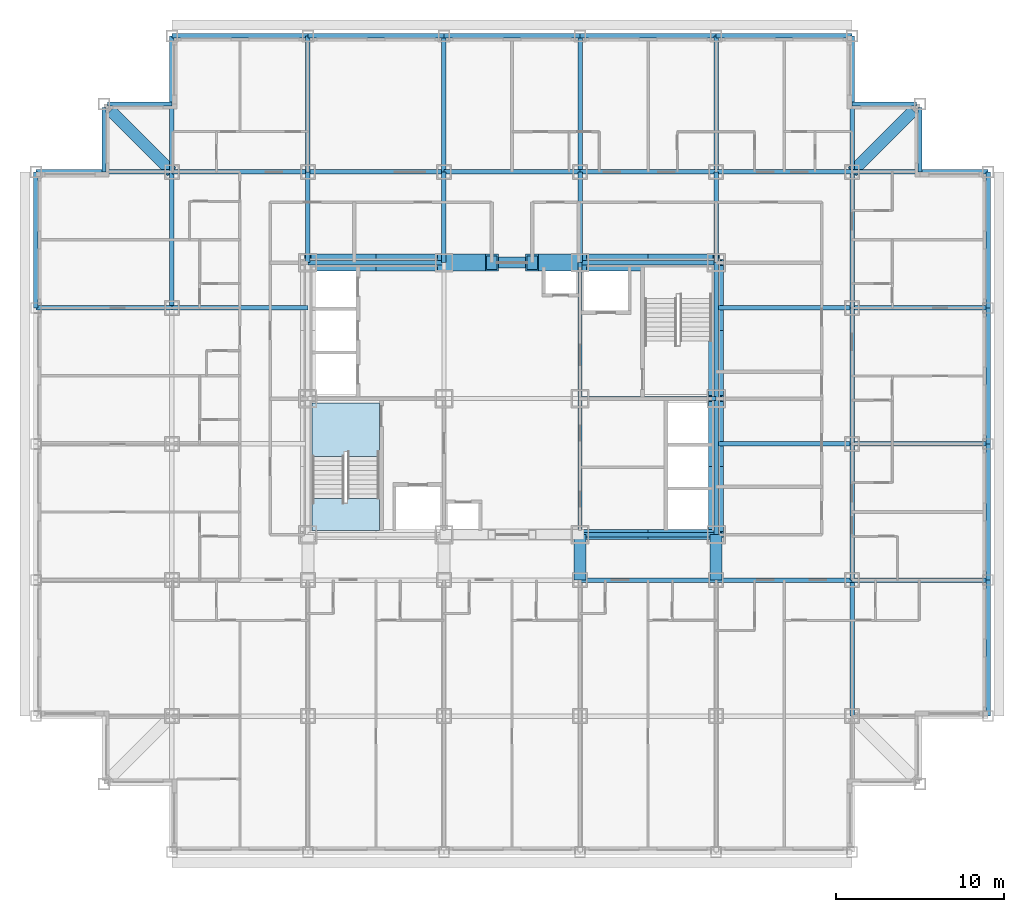
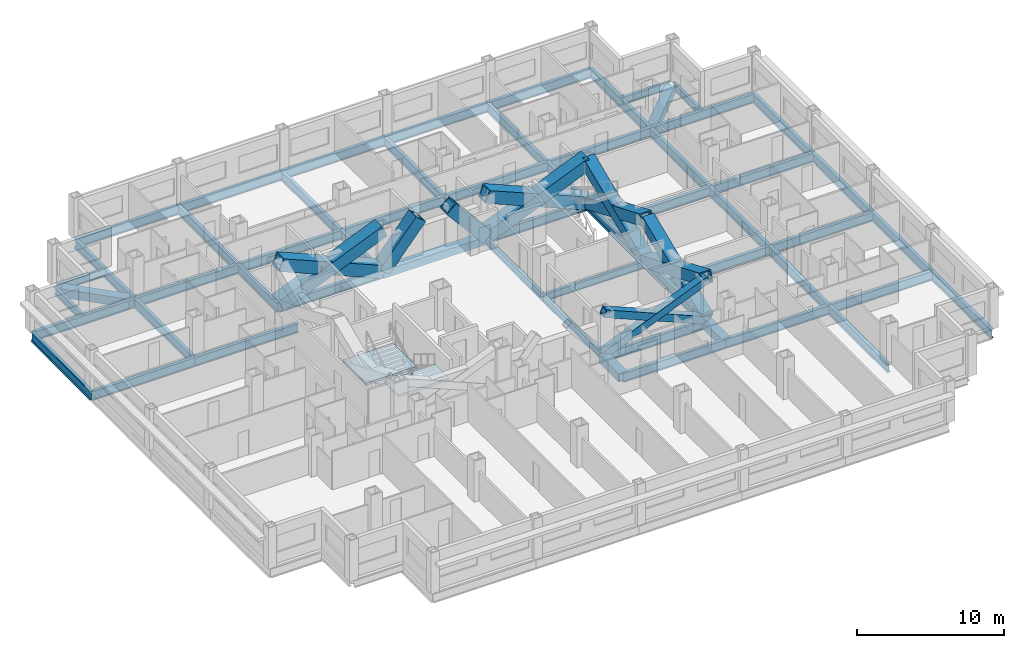
# One storey, part 2 of 12: 58 beams, 12 members, 2 slabs, 1 element without a shape of its own.
"""IFC4 building model written with IfcOpenShell, lengths in metres."""

from ifc_helpers import new_model, si_unit, direction, frame, origin, origin_2d, place, context, subcontext, project, spatial, polyline, hollow_rectangle, i_section, outline, extrude, material, layer, layer_set, material_profile, profile_set, type_object, element, aggregate, save


model = new_model("IFC4")

# Units and contexts
model_context = context("Model", 3, precision=1e-05, world=origin(), true_north=direction((0.0, 1.0)))
body_context = subcontext(model_context, "Body", "Model", "MODEL_VIEW")
ifc_project = project(units=[si_unit("LENGTHUNIT", "METRE"), si_unit("AREAUNIT", "SQUARE_METRE"), si_unit("VOLUMEUNIT", "CUBIC_METRE"), si_unit("PLANEANGLEUNIT", "RADIAN"), si_unit("MASSUNIT", "GRAM", prefix="KILO")], contexts=[model_context])

# Site, building, storey
site_placement = place(None, origin())
site = spatial("IfcSite", under=ifc_project, at=site_placement, CompositionType="ELEMENT")
building_placement = place(site_placement, origin())
building = spatial("IfcBuilding", under=site, at=building_placement, Name="Kopane Lantern Tower", CompositionType="ELEMENT")
storey_placement = place(building_placement, frame((0.0, 0.0, 147.60009765625)))
storey = spatial("IfcBuildingStorey", under=building, at=storey_placement, Name="L38", CompositionType="ELEMENT", Elevation=147.60009765625)

# Members
ifc_material_1 = material(Name="Steel S355JR", Category="steel")
ifc_material_profile_1 = material_profile(ifc_material_1, hollow_rectangle(XDim=1.0, YDim=1.0, WallThickness=0.10009765625, at=origin_2d()), Name="BOX 1000x1000x100")
ifc_profile_set_1 = profile_set([ifc_material_profile_1], Name="Steel S355JR")
member_type_1 = type_object("IfcMemberType", Name="BRACE BOX 1000x1000x100", PredefinedType="BRACE", material=ifc_profile_set_1)
for number, where, z_axis, x_axis, name in (
    (1, (16.199951171875, 40.5, -0.210205078125), (0.92205908274, 0.0, 0.387049154419), (0.0, 1.0, 0.0), "Core brace L38"),
    (2, (24.300048828125, 40.5, -0.210205078125), (-0.92205908274, 0.0, 0.387049154419), (0.0, -1.0, 0.0), "Core brace L38"),
):
    element("IfcMember", number, at=place(storey_placement, frame(where, z_axis=z_axis, x_axis=x_axis)), inside=storey, type_object=member_type_1, Name=name, PredefinedType="BRACE", context=body_context, shape_type="SweptSolid", body=[
        extrude(hollow_rectangle(XDim=1.0, YDim=1.0, WallThickness=0.10009765625, at=origin_2d()), origin(), (0.0, 0.0, 1.0), 8.784912109375),
    ])
for number, where, z_axis, x_axis, name in (
    (3, (24.300048828125, 40.5, -0.210205078125), (0.642363165114, 0.0, 0.766400394118), (0.0, 1.0, 0.0), "Core brace L38"),
    (4, (32.39990234375, 40.5, -0.210205078125), (-0.642363165114, 0.0, 0.766400394118), (0.0, -1.0, 0.0), "Core brace L38"),
):
    element("IfcMember", number, at=place(storey_placement, frame(where, z_axis=z_axis, x_axis=x_axis)), inside=storey, type_object=member_type_1, Name=name, PredefinedType="BRACE", context=body_context, shape_type="SweptSolid", body=[
        extrude(hollow_rectangle(XDim=1.0, YDim=1.0, WallThickness=0.10009765625, at=origin_2d()), origin(), (0.0, 0.0, 1.0), 4.4365234375),
    ])
for number, where, z_axis, x_axis, name in (
    (5, (32.39990234375, 40.5, -0.210205078125), (0.92205908274, 0.0, 0.387049154419), (0.0, 1.0, 0.0), "Core brace L38"),
    (6, (40.5, 40.5, -0.210205078125), (-0.92205908274, 0.0, 0.387049154419), (0.0, -1.0, 0.0), "Core brace L38"),
):
    element("IfcMember", number, at=place(storey_placement, frame(where, z_axis=z_axis, x_axis=x_axis)), inside=storey, type_object=member_type_1, Name=name, PredefinedType="BRACE", context=body_context, shape_type="SweptSolid", body=[
        extrude(hollow_rectangle(XDim=1.0, YDim=1.0, WallThickness=0.10009765625, at=origin_2d()), origin(), (0.0, 0.0, 1.0), 8.784912109375),
    ])
ifc_material_2 = material(Name="Steel S355JR", Category="steel")
ifc_material_profile_2 = material_profile(ifc_material_2, hollow_rectangle(XDim=0.60009765625, YDim=0.60009765625, WallThickness=0.050048828125, at=origin_2d()), Name="BOX 600x600x50")
ifc_profile_set_2 = profile_set([ifc_material_profile_2], Name="Steel S355JR")
member_type_2 = type_object("IfcMemberType", Name="BRACE BOX 600x600x50", PredefinedType="BRACE", material=ifc_profile_set_2)
for number, where, z_axis, x_axis, name in (
    (7, (32.39990234375, 24.300048828125, -0.210205078125), (0.92205908274, 0.0, 0.387049154419), (0.0, 1.0, 0.0), "Core brace L38"),
    (8, (40.5, 24.300048828125, -0.210205078125), (-0.92205908274, 0.0, 0.387049154419), (0.0, -1.0, 0.0), "Core brace L38"),
):
    element("IfcMember", number, at=place(storey_placement, frame(where, z_axis=z_axis, x_axis=x_axis)), inside=storey, type_object=member_type_2, Name=name, PredefinedType="BRACE", context=body_context, shape_type="SweptSolid", body=[
        extrude(hollow_rectangle(XDim=0.60009765625, YDim=0.60009765625, WallThickness=0.050048828125, at=origin_2d()), origin(), (0.0, 0.0, 1.0), 8.784912109375),
    ])
ifc_material_3 = material(Name="Steel S355JR", Category="steel")
ifc_material_profile_3 = material_profile(ifc_material_3, hollow_rectangle(XDim=0.89990234375, YDim=0.89990234375, WallThickness=0.090087890625, at=origin_2d()), Name="BOX 900x900x90")
ifc_profile_set_3 = profile_set([ifc_material_profile_3], Name="Steel S355JR")
member_type_3 = type_object("IfcMemberType", Name="BRACE BOX 900x900x90", PredefinedType="BRACE", material=ifc_profile_set_3)
for number, where, z_axis, x_axis, name in (
    (9, (40.5, 24.300048828125, -0.210205078125), (0.0, 0.92205491925, 0.387059072864), (-1.0, 0.0, 0.0), "Core brace L38"),
    (10, (40.5, 32.39990234375, -0.210205078125), (0.0, -0.92205491925, 0.387059072864), (1.0, 0.0, 0.0), "Core brace L38"),
):
    element("IfcMember", number, at=place(storey_placement, frame(where, z_axis=z_axis, x_axis=x_axis)), inside=storey, type_object=member_type_3, Name=name, PredefinedType="BRACE", context=body_context, shape_type="SweptSolid", body=[
        extrude(hollow_rectangle(XDim=0.89990234375, YDim=0.89990234375, WallThickness=0.090087890625, at=origin_2d()), origin(), (0.0, 0.0, 1.0), 8.78466796875),
    ])
for number, where, z_axis, x_axis, name in (
    (11, (40.5, 32.39990234375, -0.210205078125), (0.0, 0.92205908274, 0.387049154419), (-1.0, 0.0, 0.0), "Core brace L38"),
    (12, (40.5, 40.5, -0.210205078125), (0.0, -0.92205908274, 0.387049154419), (1.0, 0.0, 0.0), "Core brace L38"),
):
    element("IfcMember", number, at=place(storey_placement, frame(where, z_axis=z_axis, x_axis=x_axis)), inside=storey, type_object=member_type_3, Name=name, PredefinedType="BRACE", context=body_context, shape_type="SweptSolid", body=[
        extrude(hollow_rectangle(XDim=0.89990234375, YDim=0.89990234375, WallThickness=0.090087890625, at=origin_2d()), origin(), (0.0, 0.0, 1.0), 8.784912109375),
    ])

# Beams
ifc_material_4 = material(Name="Steel S355JR", Category="steel")
ifc_material_profile_4 = material_profile(ifc_material_4, i_section(OverallWidth=0.22900390625, OverallDepth=0.6123046875, WebThickness=0.011962890625, FlangeThickness=0.01953125, FilletRadius=0.0126953125, at=origin_2d()), Name="UB 610x229x125")
ifc_profile_set_4 = profile_set([ifc_material_profile_4], Name="Steel S355JR")
beam_type_1 = type_object("IfcBeamType", Name="CORE BEAM UB 610x229x125", PredefinedType="BEAM", material=ifc_profile_set_4)
beam_1_placement = place(storey_placement, frame((32.39990234375, 24.300048828125, -0.51611328125), z_axis=(0.0, 1.0, 0.0), x_axis=(-1.0, 0.0, 0.0)))
element("IfcBeam", 13, at=beam_1_placement, inside=storey, type_object=beam_type_1, Name="Core Beam L38", PredefinedType="BEAM", context=body_context, shape_type="SweptSolid", body=[
    extrude(i_section(OverallWidth=0.22900390625, OverallDepth=0.6123046875, WebThickness=0.011962890625, FlangeThickness=0.01953125, FilletRadius=0.0126953125, at=origin_2d()), origin(), (0.0, 0.0, 1.0), 8.099853515625),
])
for number, where, z_axis, x_axis, name in (
    (14, (32.39990234375, 32.39990234375, -0.51611328125), (0.0, 1.0, 0.0), (-1.0, 0.0, 0.0), "Core Beam L38"),
    (15, (32.39990234375, 32.39990234375, -0.51611328125), (1.0, 0.0, 0.0), (0.0, 1.0, 0.0), "Core Beam L38"),
):
    element("IfcBeam", number, at=place(storey_placement, frame(where, z_axis=z_axis, x_axis=x_axis)), inside=storey, type_object=beam_type_1, Name=name, PredefinedType="BEAM", context=body_context, shape_type="SweptSolid", body=[
        extrude(i_section(OverallWidth=0.22900390625, OverallDepth=0.6123046875, WebThickness=0.011962890625, FlangeThickness=0.01953125, FilletRadius=0.0126953125, at=origin_2d()), origin(), (0.0, 0.0, 1.0), 8.10009765625),
    ])
ifc_material_5 = material(Name="Steel S355JR", Category="steel")
ifc_material_profile_5 = material_profile(ifc_material_5, hollow_rectangle(XDim=0.699951171875, YDim=0.699951171875, WallThickness=0.06005859375, at=origin_2d()), Name="BOX 700x700x60")
ifc_profile_set_5 = profile_set([ifc_material_profile_5], Name="Steel S355JR")
beam_type_2 = type_object("IfcBeamType", Name="CORNER TIE BEAM BOX 700x700x60", PredefinedType="BEAM", material=ifc_profile_set_5)
beam_2_placement = place(storey_placement, frame((4.447509765625, 49.552490234375, -0.56005859375), z_axis=(0.707106781187, -0.707106781187, 0.0), x_axis=(0.707106781187, 0.707106781187, 0.0)))
element("IfcBeam", 16, at=beam_2_placement, inside=storey, type_object=beam_type_2, Name="Corner Tie Beam L38", PredefinedType="BEAM", context=body_context, shape_type="SweptSolid", body=[
    extrude(hollow_rectangle(XDim=0.699951171875, YDim=0.699951171875, WallThickness=0.06005859375, at=origin_2d()), origin(), (0.0, 0.0, 1.0), 5.16552734375),
])
beam_3_placement = place(storey_placement, frame((52.25244140625, 49.552490234375, -0.56005859375), z_axis=(-0.707083148333, -0.70713041325, 0.0), x_axis=(0.70713041325, -0.707083148333, 0.0)))
element("IfcBeam", 17, at=beam_3_placement, inside=storey, type_object=beam_type_2, Name="Corner Tie Beam L38", PredefinedType="BEAM", context=body_context, shape_type="SweptSolid", body=[
    extrude(hollow_rectangle(XDim=0.699951171875, YDim=0.699951171875, WallThickness=0.06005859375, at=origin_2d()), origin(), (0.0, 0.0, 1.0), 5.165283203125),
])
ifc_material_6 = material(Name="Steel S355JR", Category="steel")
ifc_material_profile_6 = material_profile(ifc_material_6, i_section(OverallWidth=0.22900390625, OverallDepth=0.6123046875, WebThickness=0.011962890625, FlangeThickness=0.01953125, FilletRadius=0.0126953125, at=origin_2d()), Name="UB 610x229x125")
ifc_profile_set_6 = profile_set([ifc_material_profile_6], Name="Steel S355JR")
beam_type_3 = type_object("IfcBeamType", Name="EDGE BEAM UB 610x229x125", PredefinedType="BEAM", material=ifc_profile_set_6)
for number, where, z_axis, x_axis, name in (
    (18, (4.050048828125, 49.74658203125, -0.51611328125), (0.0, -1.0, 0.0), (1.0, 0.0, 0.0), "Edge Beam L38"),
    (19, (4.25341796875, 49.949951171875, -0.51611328125), (1.0, 0.0, 0.0), (0.0, 1.0, 0.0), "Edge Beam L38"),
):
    element("IfcBeam", number, at=place(storey_placement, frame(where, z_axis=z_axis, x_axis=x_axis)), inside=storey, type_object=beam_type_3, Name=name, PredefinedType="BEAM", context=body_context, shape_type="SweptSolid", body=[
        extrude(i_section(OverallWidth=0.22900390625, OverallDepth=0.6123046875, WebThickness=0.011962890625, FlangeThickness=0.01953125, FilletRadius=0.0126953125, at=origin_2d()), origin(), (0.0, 0.0, 1.0), 3.8466796875),
    ])
beam_4_placement = place(storey_placement, frame((52.446533203125, 49.949951171875, -0.51611328125), z_axis=(-1.0, 0.0, 0.0), x_axis=(0.0, -1.0, 0.0)))
element("IfcBeam", 20, at=beam_4_placement, inside=storey, type_object=beam_type_3, Name="Edge Beam L38", PredefinedType="BEAM", context=body_context, shape_type="SweptSolid", body=[
    extrude(i_section(OverallWidth=0.22900390625, OverallDepth=0.6123046875, WebThickness=0.011962890625, FlangeThickness=0.01953125, FilletRadius=0.0126953125, at=origin_2d()), origin(), (0.0, 0.0, 1.0), 3.846435546875),
])
beam_5_placement = place(storey_placement, frame((52.64990234375, 49.74658203125, -0.51611328125), z_axis=(0.0, -1.0, 0.0), x_axis=(1.0, 0.0, 0.0)))
element("IfcBeam", 21, at=beam_5_placement, inside=storey, type_object=beam_type_3, Name="Edge Beam L38", PredefinedType="BEAM", context=body_context, shape_type="SweptSolid", body=[
    extrude(i_section(OverallWidth=0.22900390625, OverallDepth=0.6123046875, WebThickness=0.011962890625, FlangeThickness=0.01953125, FilletRadius=0.0126953125, at=origin_2d()), origin(), (0.0, 0.0, 1.0), 3.8466796875),
])
ifc_material_7 = material(Name="Steel S355JR", Category="steel")
ifc_material_profile_7 = material_profile(ifc_material_7, hollow_rectangle(XDim=0.699951171875, YDim=0.699951171875, WallThickness=0.06005859375, at=origin_2d()), Name="BOX 700x700x60")
ifc_profile_set_7 = profile_set([ifc_material_profile_7], Name="Steel S355JR")
beam_type_4 = type_object("IfcBeamType", Name="GIRDER BOX 700x700x60", PredefinedType="BEAM", material=ifc_profile_set_7)
for number, where, z_axis, x_axis, name in (
    (22, (32.39990234375, 21.60009765625, -0.56005859375), (0.0, 1.0, 0.0), (-1.0, 0.0, 0.0), "Girder L38"),
    (23, (40.5, 21.60009765625, -0.56005859375), (0.0, 1.0, 0.0), (-1.0, 0.0, 0.0), "Girder L38"),
):
    element("IfcBeam", number, at=place(storey_placement, frame(where, z_axis=z_axis, x_axis=x_axis)), inside=storey, type_object=beam_type_4, Name=name, PredefinedType="BEAM", context=body_context, shape_type="SweptSolid", body=[
        extrude(hollow_rectangle(XDim=0.699951171875, YDim=0.699951171875, WallThickness=0.06005859375, at=origin_2d()), origin(), (0.0, 0.0, 1.0), 2.699951171875),
    ])
ifc_material_8 = material(Name="Steel S355JR", Category="steel")
ifc_material_profile_8 = material_profile(ifc_material_8, i_section(OverallWidth=0.26806640625, OverallDepth=0.769775390625, WebThickness=0.015625, FlangeThickness=0.025390625, FilletRadius=0.0166015625, at=origin_2d()), Name="UB 762x267x197")
ifc_profile_set_8 = profile_set([ifc_material_profile_8], Name="Steel S355JR")
beam_type_5 = type_object("IfcBeamType", Name="GIRDER UB 762x267x197", PredefinedType="BEAM", material=ifc_profile_set_8)
beam_6_placement = place(storey_placement, frame((0.0, 37.800048828125, -0.594970703125), z_axis=(0.0, 1.0, 0.0), x_axis=(-1.0, 0.0, 0.0)))
element("IfcBeam", 24, at=beam_6_placement, inside=storey, type_object=beam_type_5, Name="Girder L38", PredefinedType="BEAM", context=body_context, shape_type="SweptSolid", body=[
    extrude(i_section(OverallWidth=0.26806640625, OverallDepth=0.769775390625, WebThickness=0.015625, FlangeThickness=0.025390625, FilletRadius=0.0166015625, at=origin_2d()), origin(), (0.0, 0.0, 1.0), 8.099853515625),
])
for number, where, z_axis, x_axis, name in (
    (25, (0.0, 37.800048828125, -0.594970703125), (1.0, 0.0, 0.0), (0.0, 1.0, 0.0), "Girder L38"),
    (26, (0.0, 45.89990234375, -0.594970703125), (1.0, 0.0, 0.0), (0.0, 1.0, 0.0), "Girder L38"),
):
    element("IfcBeam", number, at=place(storey_placement, frame(where, z_axis=z_axis, x_axis=x_axis)), inside=storey, type_object=beam_type_5, Name=name, PredefinedType="BEAM", context=body_context, shape_type="SweptSolid", body=[
        extrude(i_section(OverallWidth=0.26806640625, OverallDepth=0.769775390625, WebThickness=0.015625, FlangeThickness=0.025390625, FilletRadius=0.0166015625, at=origin_2d()), origin(), (0.0, 0.0, 1.0), 8.10009765625),
    ])
for number, where, z_axis, x_axis, name in (
    (27, (8.10009765625, 37.800048828125, -0.594970703125), (0.0, 1.0, 0.0), (-1.0, 0.0, 0.0), "Girder L38"),
    (28, (8.10009765625, 37.800048828125, -0.594970703125), (1.0, 0.0, 0.0), (0.0, 1.0, 0.0), "Girder L38"),
):
    element("IfcBeam", number, at=place(storey_placement, frame(where, z_axis=z_axis, x_axis=x_axis)), inside=storey, type_object=beam_type_5, Name=name, PredefinedType="BEAM", context=body_context, shape_type="SweptSolid", body=[
        extrude(i_section(OverallWidth=0.26806640625, OverallDepth=0.769775390625, WebThickness=0.015625, FlangeThickness=0.025390625, FilletRadius=0.0166015625, at=origin_2d()), origin(), (0.0, 0.0, 1.0), 8.099853515625),
    ])
beam_7_placement = place(storey_placement, frame((8.10009765625, 45.89990234375, -0.594970703125), z_axis=(0.0, 1.0, 0.0), x_axis=(-1.0, 0.0, 0.0)))
element("IfcBeam", 29, at=beam_7_placement, inside=storey, type_object=beam_type_5, Name="Girder L38", PredefinedType="BEAM", context=body_context, shape_type="SweptSolid", body=[
    extrude(i_section(OverallWidth=0.26806640625, OverallDepth=0.769775390625, WebThickness=0.015625, FlangeThickness=0.025390625, FilletRadius=0.0166015625, at=origin_2d()), origin(), (0.0, 0.0, 1.0), 8.10009765625),
])
for number, where, z_axis, x_axis, name in (
    (30, (8.10009765625, 45.89990234375, -0.594970703125), (1.0, 0.0, 0.0), (0.0, 1.0, 0.0), "Girder L38"),
    (31, (8.10009765625, 54.0, -0.594970703125), (1.0, 0.0, 0.0), (0.0, 1.0, 0.0), "Girder L38"),
):
    element("IfcBeam", number, at=place(storey_placement, frame(where, z_axis=z_axis, x_axis=x_axis)), inside=storey, type_object=beam_type_5, Name=name, PredefinedType="BEAM", context=body_context, shape_type="SweptSolid", body=[
        extrude(i_section(OverallWidth=0.26806640625, OverallDepth=0.769775390625, WebThickness=0.015625, FlangeThickness=0.025390625, FilletRadius=0.0166015625, at=origin_2d()), origin(), (0.0, 0.0, 1.0), 8.099853515625),
    ])
beam_8_placement = place(storey_placement, frame((16.199951171875, 40.5, -0.594970703125), z_axis=(0.0, 1.0, 0.0), x_axis=(-1.0, 0.0, 0.0)))
element("IfcBeam", 32, at=beam_8_placement, inside=storey, type_object=beam_type_5, Name="Girder L38", PredefinedType="BEAM", context=body_context, shape_type="SweptSolid", body=[
    extrude(i_section(OverallWidth=0.26806640625, OverallDepth=0.769775390625, WebThickness=0.015625, FlangeThickness=0.025390625, FilletRadius=0.0166015625, at=origin_2d()), origin(), (0.0, 0.0, 1.0), 5.39990234375),
])
for number, where, z_axis, x_axis, name in (
    (33, (16.199951171875, 40.5, -0.594970703125), (1.0, 0.0, 0.0), (0.0, 1.0, 0.0), "Girder L38"),
    (34, (16.199951171875, 45.89990234375, -0.594970703125), (0.0, 1.0, 0.0), (-1.0, 0.0, 0.0), "Girder L38"),
    (35, (16.199951171875, 45.89990234375, -0.594970703125), (1.0, 0.0, 0.0), (0.0, 1.0, 0.0), "Girder L38"),
    (36, (16.199951171875, 54.0, -0.594970703125), (1.0, 0.0, 0.0), (0.0, 1.0, 0.0), "Girder L38"),
):
    element("IfcBeam", number, at=place(storey_placement, frame(where, z_axis=z_axis, x_axis=x_axis)), inside=storey, type_object=beam_type_5, Name=name, PredefinedType="BEAM", context=body_context, shape_type="SweptSolid", body=[
        extrude(i_section(OverallWidth=0.26806640625, OverallDepth=0.769775390625, WebThickness=0.015625, FlangeThickness=0.025390625, FilletRadius=0.0166015625, at=origin_2d()), origin(), (0.0, 0.0, 1.0), 8.10009765625),
    ])
beam_9_placement = place(storey_placement, frame((24.300048828125, 40.5, -0.594970703125), z_axis=(0.0, 1.0, 0.0), x_axis=(-1.0, 0.0, 0.0)))
element("IfcBeam", 37, at=beam_9_placement, inside=storey, type_object=beam_type_5, Name="Girder L38", PredefinedType="BEAM", context=body_context, shape_type="SweptSolid", body=[
    extrude(i_section(OverallWidth=0.26806640625, OverallDepth=0.769775390625, WebThickness=0.015625, FlangeThickness=0.025390625, FilletRadius=0.0166015625, at=origin_2d()), origin(), (0.0, 0.0, 1.0), 5.39990234375),
])
beam_10_placement = place(storey_placement, frame((24.300048828125, 45.89990234375, -0.594970703125), z_axis=(0.0, 1.0, 0.0), x_axis=(-1.0, 0.0, 0.0)))
element("IfcBeam", 38, at=beam_10_placement, inside=storey, type_object=beam_type_5, Name="Girder L38", PredefinedType="BEAM", context=body_context, shape_type="SweptSolid", body=[
    extrude(i_section(OverallWidth=0.26806640625, OverallDepth=0.769775390625, WebThickness=0.015625, FlangeThickness=0.025390625, FilletRadius=0.0166015625, at=origin_2d()), origin(), (0.0, 0.0, 1.0), 8.10009765625),
])
for number, where, z_axis, x_axis, name in (
    (39, (24.300048828125, 45.89990234375, -0.594970703125), (1.0, 0.0, 0.0), (0.0, 1.0, 0.0), "Girder L38"),
    (40, (24.300048828125, 54.0, -0.594970703125), (1.0, 0.0, 0.0), (0.0, 1.0, 0.0), "Girder L38"),
):
    element("IfcBeam", number, at=place(storey_placement, frame(where, z_axis=z_axis, x_axis=x_axis)), inside=storey, type_object=beam_type_5, Name=name, PredefinedType="BEAM", context=body_context, shape_type="SweptSolid", body=[
        extrude(i_section(OverallWidth=0.26806640625, OverallDepth=0.769775390625, WebThickness=0.015625, FlangeThickness=0.025390625, FilletRadius=0.0166015625, at=origin_2d()), origin(), (0.0, 0.0, 1.0), 8.099853515625),
    ])
for number, where, z_axis, x_axis, name in (
    (41, (32.39990234375, 21.60009765625, -0.594970703125), (1.0, 0.0, 0.0), (0.0, 1.0, 0.0), "Girder L38"),
    (42, (32.39990234375, 24.300048828125, -0.594970703125), (1.0, 0.0, 0.0), (0.0, 1.0, 0.0), "Girder L38"),
):
    element("IfcBeam", number, at=place(storey_placement, frame(where, z_axis=z_axis, x_axis=x_axis)), inside=storey, type_object=beam_type_5, Name=name, PredefinedType="BEAM", context=body_context, shape_type="SweptSolid", body=[
        extrude(i_section(OverallWidth=0.26806640625, OverallDepth=0.769775390625, WebThickness=0.015625, FlangeThickness=0.025390625, FilletRadius=0.0166015625, at=origin_2d()), origin(), (0.0, 0.0, 1.0), 8.10009765625),
    ])
beam_11_placement = place(storey_placement, frame((32.39990234375, 40.5, -0.594970703125), z_axis=(0.0, 1.0, 0.0), x_axis=(-1.0, 0.0, 0.0)))
element("IfcBeam", 43, at=beam_11_placement, inside=storey, type_object=beam_type_5, Name="Girder L38", PredefinedType="BEAM", context=body_context, shape_type="SweptSolid", body=[
    extrude(i_section(OverallWidth=0.26806640625, OverallDepth=0.769775390625, WebThickness=0.015625, FlangeThickness=0.025390625, FilletRadius=0.0166015625, at=origin_2d()), origin(), (0.0, 0.0, 1.0), 5.39990234375),
])
for number, where, z_axis, x_axis, name in (
    (44, (32.39990234375, 40.5, -0.594970703125), (1.0, 0.0, 0.0), (0.0, 1.0, 0.0), "Girder L38"),
    (45, (32.39990234375, 45.89990234375, -0.594970703125), (0.0, 1.0, 0.0), (-1.0, 0.0, 0.0), "Girder L38"),
    (46, (32.39990234375, 45.89990234375, -0.594970703125), (1.0, 0.0, 0.0), (0.0, 1.0, 0.0), "Girder L38"),
    (47, (32.39990234375, 54.0, -0.594970703125), (1.0, 0.0, 0.0), (0.0, 1.0, 0.0), "Girder L38"),
    (48, (40.5, 21.60009765625, -0.594970703125), (1.0, 0.0, 0.0), (0.0, 1.0, 0.0), "Girder L38"),
):
    element("IfcBeam", number, at=place(storey_placement, frame(where, z_axis=z_axis, x_axis=x_axis)), inside=storey, type_object=beam_type_5, Name=name, PredefinedType="BEAM", context=body_context, shape_type="SweptSolid", body=[
        extrude(i_section(OverallWidth=0.26806640625, OverallDepth=0.769775390625, WebThickness=0.015625, FlangeThickness=0.025390625, FilletRadius=0.0166015625, at=origin_2d()), origin(), (0.0, 0.0, 1.0), 8.10009765625),
    ])
beam_12_placement = place(storey_placement, frame((40.5, 24.300048828125, -0.594970703125), z_axis=(0.0, 1.0, 0.0), x_axis=(-1.0, 0.0, 0.0)))
element("IfcBeam", 49, at=beam_12_placement, inside=storey, type_object=beam_type_5, Name="Girder L38", PredefinedType="BEAM", context=body_context, shape_type="SweptSolid", body=[
    extrude(i_section(OverallWidth=0.26806640625, OverallDepth=0.769775390625, WebThickness=0.015625, FlangeThickness=0.025390625, FilletRadius=0.0166015625, at=origin_2d()), origin(), (0.0, 0.0, 1.0), 8.099853515625),
])
for number, where, z_axis, x_axis, name in (
    (50, (40.5, 29.699951171875, -0.594970703125), (1.0, 0.0, 0.0), (0.0, 1.0, 0.0), "Girder L38"),
    (51, (40.5, 32.39990234375, -0.594970703125), (0.0, 1.0, 0.0), (-1.0, 0.0, 0.0), "Girder L38"),
    (52, (40.5, 37.800048828125, -0.594970703125), (1.0, 0.0, 0.0), (0.0, 1.0, 0.0), "Girder L38"),
):
    element("IfcBeam", number, at=place(storey_placement, frame(where, z_axis=z_axis, x_axis=x_axis)), inside=storey, type_object=beam_type_5, Name=name, PredefinedType="BEAM", context=body_context, shape_type="SweptSolid", body=[
        extrude(i_section(OverallWidth=0.26806640625, OverallDepth=0.769775390625, WebThickness=0.015625, FlangeThickness=0.025390625, FilletRadius=0.0166015625, at=origin_2d()), origin(), (0.0, 0.0, 1.0), 8.10009765625),
    ])
beam_13_placement = place(storey_placement, frame((40.5, 40.5, -0.594970703125), z_axis=(0.0, 1.0, 0.0), x_axis=(-1.0, 0.0, 0.0)))
element("IfcBeam", 53, at=beam_13_placement, inside=storey, type_object=beam_type_5, Name="Girder L38", PredefinedType="BEAM", context=body_context, shape_type="SweptSolid", body=[
    extrude(i_section(OverallWidth=0.26806640625, OverallDepth=0.769775390625, WebThickness=0.015625, FlangeThickness=0.025390625, FilletRadius=0.0166015625, at=origin_2d()), origin(), (0.0, 0.0, 1.0), 5.39990234375),
])
for number, where, z_axis, x_axis, name in (
    (54, (40.5, 45.89990234375, -0.594970703125), (0.0, 1.0, 0.0), (-1.0, 0.0, 0.0), "Girder L38"),
    (55, (40.5, 45.89990234375, -0.594970703125), (1.0, 0.0, 0.0), (0.0, 1.0, 0.0), "Girder L38"),
    (56, (40.5, 54.0, -0.594970703125), (1.0, 0.0, 0.0), (0.0, 1.0, 0.0), "Girder L38"),
    (57, (48.60009765625, 13.5, -0.594970703125), (0.0, 1.0, 0.0), (-1.0, 0.0, 0.0), "Girder L38"),
):
    element("IfcBeam", number, at=place(storey_placement, frame(where, z_axis=z_axis, x_axis=x_axis)), inside=storey, type_object=beam_type_5, Name=name, PredefinedType="BEAM", context=body_context, shape_type="SweptSolid", body=[
        extrude(i_section(OverallWidth=0.26806640625, OverallDepth=0.769775390625, WebThickness=0.015625, FlangeThickness=0.025390625, FilletRadius=0.0166015625, at=origin_2d()), origin(), (0.0, 0.0, 1.0), 8.10009765625),
    ])
for number, where, z_axis, x_axis, name in (
    (58, (48.60009765625, 21.60009765625, -0.594970703125), (0.0, 1.0, 0.0), (-1.0, 0.0, 0.0), "Girder L38"),
    (59, (48.60009765625, 21.60009765625, -0.594970703125), (1.0, 0.0, 0.0), (0.0, 1.0, 0.0), "Girder L38"),
):
    element("IfcBeam", number, at=place(storey_placement, frame(where, z_axis=z_axis, x_axis=x_axis)), inside=storey, type_object=beam_type_5, Name=name, PredefinedType="BEAM", context=body_context, shape_type="SweptSolid", body=[
        extrude(i_section(OverallWidth=0.26806640625, OverallDepth=0.769775390625, WebThickness=0.015625, FlangeThickness=0.025390625, FilletRadius=0.0166015625, at=origin_2d()), origin(), (0.0, 0.0, 1.0), 8.099853515625),
    ])
beam_14_placement = place(storey_placement, frame((48.60009765625, 29.699951171875, -0.594970703125), z_axis=(0.0, 1.0, 0.0), x_axis=(-1.0, 0.0, 0.0)))
element("IfcBeam", 60, at=beam_14_placement, inside=storey, type_object=beam_type_5, Name="Girder L38", PredefinedType="BEAM", context=body_context, shape_type="SweptSolid", body=[
    extrude(i_section(OverallWidth=0.26806640625, OverallDepth=0.769775390625, WebThickness=0.015625, FlangeThickness=0.025390625, FilletRadius=0.0166015625, at=origin_2d()), origin(), (0.0, 0.0, 1.0), 8.10009765625),
])
for number, where, z_axis, x_axis, name in (
    (61, (48.60009765625, 29.699951171875, -0.594970703125), (1.0, 0.0, 0.0), (0.0, 1.0, 0.0), "Girder L38"),
    (62, (48.60009765625, 37.800048828125, -0.594970703125), (0.0, 1.0, 0.0), (-1.0, 0.0, 0.0), "Girder L38"),
    (63, (48.60009765625, 37.800048828125, -0.594970703125), (1.0, 0.0, 0.0), (0.0, 1.0, 0.0), "Girder L38"),
):
    element("IfcBeam", number, at=place(storey_placement, frame(where, z_axis=z_axis, x_axis=x_axis)), inside=storey, type_object=beam_type_5, Name=name, PredefinedType="BEAM", context=body_context, shape_type="SweptSolid", body=[
        extrude(i_section(OverallWidth=0.26806640625, OverallDepth=0.769775390625, WebThickness=0.015625, FlangeThickness=0.025390625, FilletRadius=0.0166015625, at=origin_2d()), origin(), (0.0, 0.0, 1.0), 8.099853515625),
    ])
beam_15_placement = place(storey_placement, frame((48.60009765625, 45.89990234375, -0.594970703125), z_axis=(0.0, 1.0, 0.0), x_axis=(-1.0, 0.0, 0.0)))
element("IfcBeam", 64, at=beam_15_placement, inside=storey, type_object=beam_type_5, Name="Girder L38", PredefinedType="BEAM", context=body_context, shape_type="SweptSolid", body=[
    extrude(i_section(OverallWidth=0.26806640625, OverallDepth=0.769775390625, WebThickness=0.015625, FlangeThickness=0.025390625, FilletRadius=0.0166015625, at=origin_2d()), origin(), (0.0, 0.0, 1.0), 8.10009765625),
])
beam_16_placement = place(storey_placement, frame((48.60009765625, 45.89990234375, -0.594970703125), z_axis=(1.0, 0.0, 0.0), x_axis=(0.0, 1.0, 0.0)))
element("IfcBeam", 65, at=beam_16_placement, inside=storey, type_object=beam_type_5, Name="Girder L38", PredefinedType="BEAM", context=body_context, shape_type="SweptSolid", body=[
    extrude(i_section(OverallWidth=0.26806640625, OverallDepth=0.769775390625, WebThickness=0.015625, FlangeThickness=0.025390625, FilletRadius=0.0166015625, at=origin_2d()), origin(), (0.0, 0.0, 1.0), 8.099853515625),
])
beam_17_placement = place(storey_placement, frame((56.699951171875, 13.5, -0.594970703125), z_axis=(0.0, 1.0, 0.0), x_axis=(-1.0, 0.0, 0.0)))
element("IfcBeam", 66, at=beam_17_placement, inside=storey, type_object=beam_type_5, Name="Girder L38", PredefinedType="BEAM", context=body_context, shape_type="SweptSolid", body=[
    extrude(i_section(OverallWidth=0.26806640625, OverallDepth=0.769775390625, WebThickness=0.015625, FlangeThickness=0.025390625, FilletRadius=0.0166015625, at=origin_2d()), origin(), (0.0, 0.0, 1.0), 8.10009765625),
])
beam_18_placement = place(storey_placement, frame((56.699951171875, 21.60009765625, -0.594970703125), z_axis=(0.0, 1.0, 0.0), x_axis=(-1.0, 0.0, 0.0)))
element("IfcBeam", 67, at=beam_18_placement, inside=storey, type_object=beam_type_5, Name="Girder L38", PredefinedType="BEAM", context=body_context, shape_type="SweptSolid", body=[
    extrude(i_section(OverallWidth=0.26806640625, OverallDepth=0.769775390625, WebThickness=0.015625, FlangeThickness=0.025390625, FilletRadius=0.0166015625, at=origin_2d()), origin(), (0.0, 0.0, 1.0), 8.099853515625),
])
beam_19_placement = place(storey_placement, frame((56.699951171875, 29.699951171875, -0.594970703125), z_axis=(0.0, 1.0, 0.0), x_axis=(-1.0, 0.0, 0.0)))
element("IfcBeam", 68, at=beam_19_placement, inside=storey, type_object=beam_type_5, Name="Girder L38", PredefinedType="BEAM", context=body_context, shape_type="SweptSolid", body=[
    extrude(i_section(OverallWidth=0.26806640625, OverallDepth=0.769775390625, WebThickness=0.015625, FlangeThickness=0.025390625, FilletRadius=0.0166015625, at=origin_2d()), origin(), (0.0, 0.0, 1.0), 8.10009765625),
])
beam_20_placement = place(storey_placement, frame((56.699951171875, 37.800048828125, -0.594970703125), z_axis=(0.0, 1.0, 0.0), x_axis=(-1.0, 0.0, 0.0)))
element("IfcBeam", 69, at=beam_20_placement, inside=storey, type_object=beam_type_5, Name="Girder L38", PredefinedType="BEAM", context=body_context, shape_type="SweptSolid", body=[
    extrude(i_section(OverallWidth=0.26806640625, OverallDepth=0.769775390625, WebThickness=0.015625, FlangeThickness=0.025390625, FilletRadius=0.0166015625, at=origin_2d()), origin(), (0.0, 0.0, 1.0), 8.099853515625),
])
ifc_material_9 = material(Name="Steel S355JR", Category="steel")
ifc_material_profile_9 = material_profile(ifc_material_9, hollow_rectangle(XDim=0.64990234375, YDim=0.64990234375, WallThickness=0.070068359375, at=origin_2d()), Name="BOX 650x650x70")
ifc_profile_set_9 = profile_set([ifc_material_profile_9], Name="Steel S355JR")
beam_type_6 = type_object("IfcBeamType", Name="LINK BEAM BOX 650x650x70", PredefinedType="BEAM", material=ifc_profile_set_9)
beam_21_placement = place(storey_placement, frame((24.300048828125, 40.5, -0.53515625), z_axis=(1.0, 0.0, 0.0), x_axis=(0.0, 1.0, 0.0)))
element("IfcBeam", 70, at=beam_21_placement, inside=storey, type_object=beam_type_6, Name="Link Beam L38", PredefinedType="BEAM", context=body_context, shape_type="SweptSolid", body=[
    extrude(hollow_rectangle(XDim=0.64990234375, YDim=0.64990234375, WallThickness=0.070068359375, at=origin_2d()), origin(), (0.0, 0.0, 1.0), 8.099853515625),
])

# Stair, slabs
ifc_material_10 = material(Name="Steel S355JR", Category="steel")
stair_type = type_object("IfcStairType", Name="EXIT STAIR 1900 HALF TURN", PredefinedType="HALF_TURN_STAIR", material=ifc_material_10)
stair_placement = place(storey_placement, origin())
stair = element("IfcStair", 71, at=stair_placement, inside=storey, type_object=stair_type, Name="Exit stair ST1 L38", PredefinedType="HALF_TURN_STAIR")
ifc_material_11 = material(Name="Concrete C40/50", Category="concrete")
ifc_layer = layer(ifc_material_11, 0.199951171875)
ifc_layer_set = layer_set([ifc_layer], Name="STAIR LANDING 200")
slab_type = type_object("IfcSlabType", Name="STAIR LANDING 200", PredefinedType="LANDING", material=ifc_layer_set)
slab_1_placement = place(storey_placement, frame((0.0, 0.0, -0.2001953125)))
slab_1 = element("IfcSlab", 72, at=slab_1_placement, type_object=slab_type, Name="ST1 landing 1", PredefinedType="LANDING", context=body_context, shape_type="SweptSolid", body=[
    extrude(outline(polyline([(18.35009765625, 29.25), (18.550048828125, 29.25), (18.550048828125, 28.969970703125), (20.449951171875, 28.969970703125), (20.449951171875, 32.14990234375), (16.449951171875, 32.14990234375), (16.449951171875, 28.969970703125), (18.35009765625, 28.969970703125), (18.35009765625, 29.25)])), origin(), (0.0, 0.0, 1.0), 0.2001953125),
])
slab_2_placement = place(storey_placement, frame((0.0, 0.0, 1.5)))
slab_2 = element("IfcSlab", 73, at=slab_2_placement, type_object=slab_type, Name="ST1 landing 2", PredefinedType="LANDING", context=body_context, shape_type="SweptSolid", body=[
    extrude(outline(polyline([(20.449951171875, 26.449951171875), (18.550048828125, 26.449951171875), (18.550048828125, 26.169921875), (18.35009765625, 26.169921875), (18.35009765625, 26.449951171875), (16.449951171875, 26.449951171875), (16.449951171875, 24.550048828125), (20.449951171875, 24.550048828125), (20.449951171875, 26.449951171875)])), origin(), (0.0, 0.0, 1.0), 0.199951171875),
])
aggregate(stair, [slab_1, slab_2])

save(model, "model.ifc")
